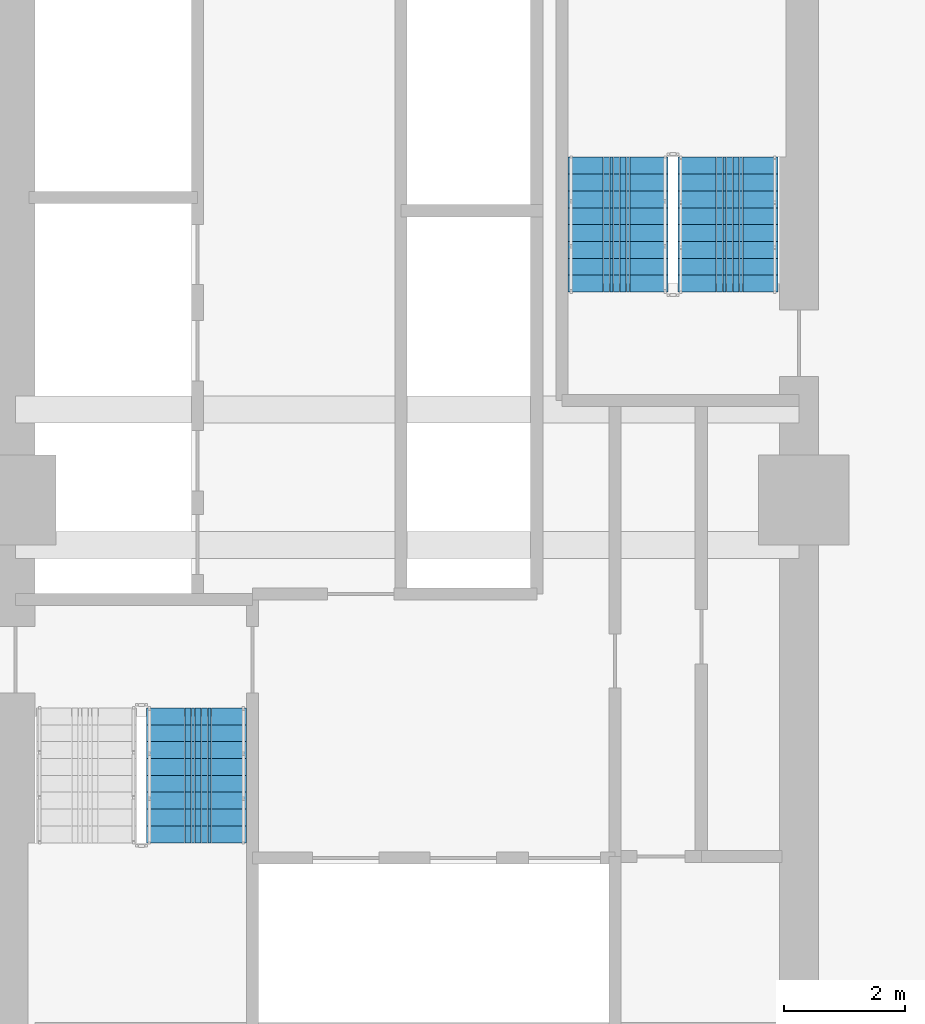
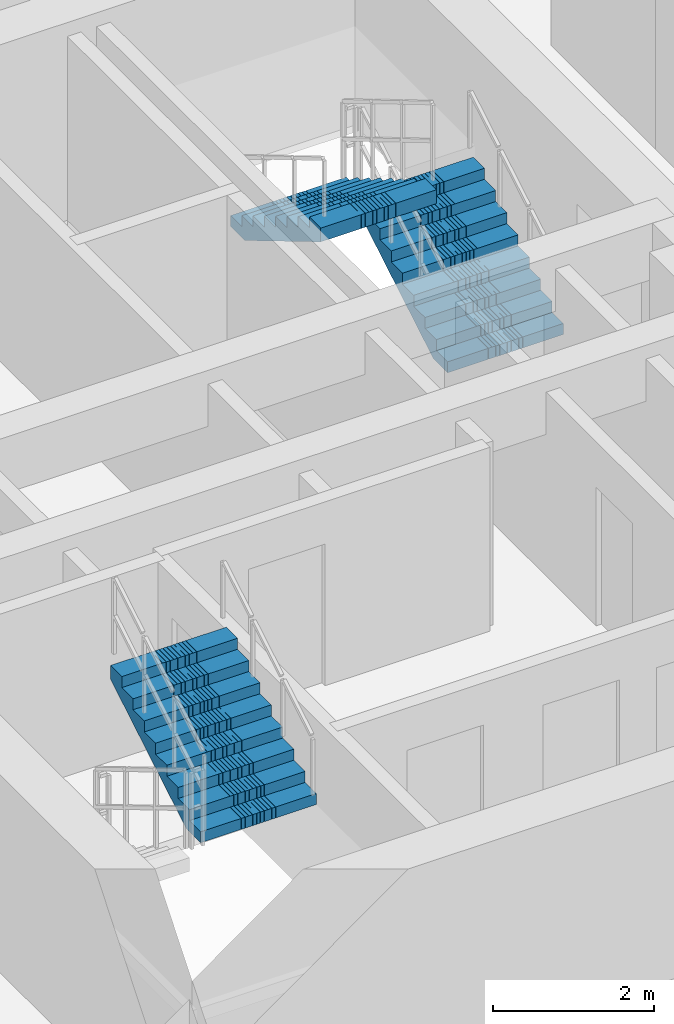
# One storey, part 9 of 16: 3 stair flights, 2 elements without a shape of their own.
"""IFC4 building model written with IfcOpenShell, lengths in metres."""

from ifc_helpers import new_model, si_unit, direction, frame, origin, place, context, subcontext, project, spatial, polyline, outline, extrude, material, type_object, element, aggregate, save


model = new_model("IFC4")

# Units and contexts
model_context = context("Model", 3, precision=1e-05, world=origin(), true_north=direction((0.0, 1.0)))
body_context = subcontext(model_context, "Body", "Model", "MODEL_VIEW")
ifc_project = project(units=[si_unit("LENGTHUNIT", "METRE"), si_unit("AREAUNIT", "SQUARE_METRE"), si_unit("VOLUMEUNIT", "CUBIC_METRE"), si_unit("PLANEANGLEUNIT", "RADIAN"), si_unit("MASSUNIT", "GRAM", prefix="KILO")], contexts=[model_context])

# Site, building, storey
site_placement = place(None, origin())
site = spatial("IfcSite", under=ifc_project, at=site_placement, CompositionType="ELEMENT")
building_placement = place(site_placement, origin())
building = spatial("IfcBuilding", under=site, at=building_placement, Name="Saelheon Loggia Tower", CompositionType="ELEMENT")
storey_placement = place(building_placement, frame((0.0, 0.0, 64.39990234375)))
storey = spatial("IfcBuildingStorey", under=building, at=storey_placement, Name="L20", CompositionType="ELEMENT", Elevation=64.39990234375)

# Stair, stair flight
ifc_material = material(Name="Concrete C40/50", Category="concrete")
stair_type = type_object("IfcStairType", Name="Stair_Escape_Core", PredefinedType="HALF_TURN_STAIR", material=ifc_material)
stair_1_placement = place(storey_placement, origin())
stair_1 = element("IfcStair", 1, at=stair_1_placement, inside=storey, type_object=stair_type, Name="L20 Special Escape Stair ST1", PredefinedType="HALF_TURN_STAIR")
stair_flight_type = type_object("IfcStairFlightType", Name="StairFlight_Tower_1660", PredefinedType="STRAIGHT", material=ifc_material)
stair_flight_1_placement = place(storey_placement, frame((34.5, 21.31005859375, 1.5), z_axis=(0.0, 0.0, 1.0), x_axis=(0.0, 1.0, 0.0)))
stair_flight_1 = element("IfcStairFlight", 2, at=stair_flight_1_placement, type_object=stair_flight_type, Name="ST1 flight 2", NumberOfRisers=9, NumberOfTreads=8, PredefinedType="STRAIGHT", RiserHeight=0.166666667, TreadLength=0.28, context=body_context, shape_type="SweptSolid", body=[
    extrude(outline(polyline([(0.0, 0.0), (0.0, 0.166748046875), (0.280029296875, 0.166748046875), (0.280029296875, 0.333251953125), (0.56005859375, 0.333251953125), (0.56005859375, 0.5), (0.840087890625, 0.5), (0.840087890625, 0.666748046875), (1.1201171875, 0.666748046875), (1.1201171875, 0.833251953125), (1.39990234375, 0.833251953125), (1.39990234375, 1.0), (1.679931640625, 1.0), (1.679931640625, 1.166748046875), (1.9599609375, 1.166748046875), (1.9599609375, 1.333251953125), (2.239990234375, 1.333251953125), (2.239990234375, 1.5), (2.239990234375, 1.1240234375), (0.351806640625, 0.0), (0.0, 0.0)])), frame((0.0, -0.2490234375, 0.0), z_axis=(0.0, -1.0, 0.0), x_axis=(1.0, 0.0, 0.0)), (0.0, 0.0, 1.0), 0.5810546875),
    extrude(outline(polyline([(0.0, 0.0), (0.0, 0.166748046875), (0.280029296875, 0.166748046875), (0.280029296875, 0.333251953125), (0.56005859375, 0.333251953125), (0.56005859375, 0.5), (0.840087890625, 0.5), (0.840087890625, 0.666748046875), (1.1201171875, 0.666748046875), (1.1201171875, 0.833251953125), (1.39990234375, 0.833251953125), (1.39990234375, 1.0), (1.679931640625, 1.0), (1.679931640625, 1.166748046875), (1.9599609375, 1.166748046875), (1.9599609375, 1.333251953125), (2.239990234375, 1.333251953125), (2.239990234375, 1.5), (2.239990234375, 1.1240234375), (0.351806640625, 0.0), (0.0, 0.0)])), frame((0.0, -0.194091796875, 0.0), z_axis=(0.0, -1.0, 0.0), x_axis=(1.0, 0.0, 0.0)), (0.0, 0.0, 1.0), 0.0498046875),
    extrude(outline(polyline([(0.0, 0.0), (0.0, 0.166748046875), (0.280029296875, 0.166748046875), (0.280029296875, 0.333251953125), (0.56005859375, 0.333251953125), (0.56005859375, 0.5), (0.840087890625, 0.5), (0.840087890625, 0.666748046875), (1.1201171875, 0.666748046875), (1.1201171875, 0.833251953125), (1.39990234375, 0.833251953125), (1.39990234375, 1.0), (1.679931640625, 1.0), (1.679931640625, 1.166748046875), (1.9599609375, 1.166748046875), (1.9599609375, 1.333251953125), (2.239990234375, 1.333251953125), (2.239990234375, 1.5), (2.239990234375, 1.1240234375), (0.351806640625, 0.0), (0.0, 0.0)])), frame((0.0, -0.139404296875, 0.0), z_axis=(0.0, -1.0, 0.0), x_axis=(1.0, 0.0, 0.0)), (0.0, 0.0, 1.0), 0.0498046875),
    extrude(outline(polyline([(0.0, 0.0), (0.0, 0.166748046875), (0.280029296875, 0.166748046875), (0.280029296875, 0.333251953125), (0.56005859375, 0.333251953125), (0.56005859375, 0.5), (0.840087890625, 0.5), (0.840087890625, 0.666748046875), (1.1201171875, 0.666748046875), (1.1201171875, 0.833251953125), (1.39990234375, 0.833251953125), (1.39990234375, 1.0), (1.679931640625, 1.0), (1.679931640625, 1.166748046875), (1.9599609375, 1.166748046875), (1.9599609375, 1.333251953125), (2.239990234375, 1.333251953125), (2.239990234375, 1.5), (2.239990234375, 1.1240234375), (0.351806640625, 0.0), (0.0, 0.0)])), frame((0.0, -0.084716796875, 0.0), z_axis=(0.0, -1.0, 0.0), x_axis=(1.0, 0.0, 0.0)), (0.0, 0.0, 1.0), 0.0498046875),
    extrude(outline(polyline([(0.0, 0.0), (0.0, 0.166748046875), (0.280029296875, 0.166748046875), (0.280029296875, 0.333251953125), (0.56005859375, 0.333251953125), (0.56005859375, 0.5), (0.840087890625, 0.5), (0.840087890625, 0.666748046875), (1.1201171875, 0.666748046875), (1.1201171875, 0.833251953125), (1.39990234375, 0.833251953125), (1.39990234375, 1.0), (1.679931640625, 1.0), (1.679931640625, 1.166748046875), (1.9599609375, 1.166748046875), (1.9599609375, 1.333251953125), (2.239990234375, 1.333251953125), (2.239990234375, 1.5), (2.239990234375, 1.1240234375), (0.351806640625, 0.0), (0.0, 0.0)])), frame((0.0, -0.02978515625, 0.0), z_axis=(0.0, -1.0, 0.0), x_axis=(1.0, 0.0, 0.0)), (0.0, 0.0, 1.0), 0.0498046875),
    extrude(outline(polyline([(0.0, 0.0), (0.0, 0.166748046875), (0.280029296875, 0.166748046875), (0.280029296875, 0.333251953125), (0.56005859375, 0.333251953125), (0.56005859375, 0.5), (0.840087890625, 0.5), (0.840087890625, 0.666748046875), (1.1201171875, 0.666748046875), (1.1201171875, 0.833251953125), (1.39990234375, 0.833251953125), (1.39990234375, 1.0), (1.679931640625, 1.0), (1.679931640625, 1.166748046875), (1.9599609375, 1.166748046875), (1.9599609375, 1.333251953125), (2.239990234375, 1.333251953125), (2.239990234375, 1.5), (2.239990234375, 1.1240234375), (0.351806640625, 0.0), (0.0, 0.0)])), frame((0.0, 0.02490234375, 0.0), z_axis=(0.0, -1.0, 0.0), x_axis=(1.0, 0.0, 0.0)), (0.0, 0.0, 1.0), 0.0498046875),
    extrude(outline(polyline([(0.0, 0.0), (0.0, 0.166748046875), (0.280029296875, 0.166748046875), (0.280029296875, 0.333251953125), (0.56005859375, 0.333251953125), (0.56005859375, 0.5), (0.840087890625, 0.5), (0.840087890625, 0.666748046875), (1.1201171875, 0.666748046875), (1.1201171875, 0.833251953125), (1.39990234375, 0.833251953125), (1.39990234375, 1.0), (1.679931640625, 1.0), (1.679931640625, 1.166748046875), (1.9599609375, 1.166748046875), (1.9599609375, 1.333251953125), (2.239990234375, 1.333251953125), (2.239990234375, 1.5), (2.239990234375, 1.1240234375), (0.351806640625, 0.0), (0.0, 0.0)])), frame((0.0, 0.07958984375, 0.0), z_axis=(0.0, -1.0, 0.0), x_axis=(1.0, 0.0, 0.0)), (0.0, 0.0, 1.0), 0.0498046875),
    extrude(outline(polyline([(0.0, 0.0), (0.0, 0.166748046875), (0.280029296875, 0.166748046875), (0.280029296875, 0.333251953125), (0.56005859375, 0.333251953125), (0.56005859375, 0.5), (0.840087890625, 0.5), (0.840087890625, 0.666748046875), (1.1201171875, 0.666748046875), (1.1201171875, 0.833251953125), (1.39990234375, 0.833251953125), (1.39990234375, 1.0), (1.679931640625, 1.0), (1.679931640625, 1.166748046875), (1.9599609375, 1.166748046875), (1.9599609375, 1.333251953125), (2.239990234375, 1.333251953125), (2.239990234375, 1.5), (2.239990234375, 1.1240234375), (0.351806640625, 0.0), (0.0, 0.0)])), frame((0.0, 0.134521484375, 0.0), z_axis=(0.0, -1.0, 0.0), x_axis=(1.0, 0.0, 0.0)), (0.0, 0.0, 1.0), 0.0498046875),
    extrude(outline(polyline([(0.0, 0.0), (0.0, 0.166748046875), (0.280029296875, 0.166748046875), (0.280029296875, 0.333251953125), (0.56005859375, 0.333251953125), (0.56005859375, 0.5), (0.840087890625, 0.5), (0.840087890625, 0.666748046875), (1.1201171875, 0.666748046875), (1.1201171875, 0.833251953125), (1.39990234375, 0.833251953125), (1.39990234375, 1.0), (1.679931640625, 1.0), (1.679931640625, 1.166748046875), (1.9599609375, 1.166748046875), (1.9599609375, 1.333251953125), (2.239990234375, 1.333251953125), (2.239990234375, 1.5), (2.239990234375, 1.1240234375), (0.351806640625, 0.0), (0.0, 0.0)])), frame((0.0, 0.189208984375, 0.0), z_axis=(0.0, -1.0, 0.0), x_axis=(1.0, 0.0, 0.0)), (0.0, 0.0, 1.0), 0.0498046875),
    extrude(outline(polyline([(0.0, 0.0), (0.0, 0.166748046875), (0.280029296875, 0.166748046875), (0.280029296875, 0.333251953125), (0.56005859375, 0.333251953125), (0.56005859375, 0.5), (0.840087890625, 0.5), (0.840087890625, 0.666748046875), (1.1201171875, 0.666748046875), (1.1201171875, 0.833251953125), (1.39990234375, 0.833251953125), (1.39990234375, 1.0), (1.679931640625, 1.0), (1.679931640625, 1.166748046875), (1.9599609375, 1.166748046875), (1.9599609375, 1.333251953125), (2.239990234375, 1.333251953125), (2.239990234375, 1.5), (2.239990234375, 1.1240234375), (0.351806640625, 0.0), (0.0, 0.0)])), frame((0.0, 0.243896484375, 0.0), z_axis=(0.0, -1.0, 0.0), x_axis=(1.0, 0.0, 0.0)), (0.0, 0.0, 1.0), 0.0498046875),
    extrude(outline(polyline([(0.0, 0.0), (0.0, 0.166748046875), (0.280029296875, 0.166748046875), (0.280029296875, 0.333251953125), (0.56005859375, 0.333251953125), (0.56005859375, 0.5), (0.840087890625, 0.5), (0.840087890625, 0.666748046875), (1.1201171875, 0.666748046875), (1.1201171875, 0.833251953125), (1.39990234375, 0.833251953125), (1.39990234375, 1.0), (1.679931640625, 1.0), (1.679931640625, 1.166748046875), (1.9599609375, 1.166748046875), (1.9599609375, 1.333251953125), (2.239990234375, 1.333251953125), (2.239990234375, 1.5), (2.239990234375, 1.1240234375), (0.351806640625, 0.0), (0.0, 0.0)])), frame((0.0, 0.830078125, 0.0), z_axis=(0.0, -1.0, 0.0), x_axis=(1.0, 0.0, 0.0)), (0.0, 0.0, 1.0), 0.5810546875),
])
aggregate(stair_1, [stair_flight_1])

# Stair, stair flights
stair_2_placement = place(storey_placement, origin())
stair_2 = element("IfcStair", 3, at=stair_2_placement, inside=storey, type_object=stair_type, Name="L20 Special Escape Stair ST2", PredefinedType="HALF_TURN_STAIR")
stair_flight_2_placement = place(storey_placement, frame((43.320068359375, 30.449951171875, 0.0), z_axis=(0.0, 0.0, 1.0), x_axis=(0.0, 1.0, 0.0)))
stair_flight_2 = element("IfcStairFlight", 4, at=stair_flight_2_placement, type_object=stair_flight_type, Name="ST2 flight 1", NumberOfRisers=9, NumberOfTreads=8, PredefinedType="STRAIGHT", RiserHeight=0.166666667, TreadLength=0.28, context=body_context, shape_type="SweptSolid", body=[
    extrude(outline(polyline([(0.0, 0.0), (0.0, 0.166748046875), (0.280029296875, 0.166748046875), (0.280029296875, 0.333251953125), (0.56005859375, 0.333251953125), (0.56005859375, 0.5), (0.840087890625, 0.5), (0.840087890625, 0.666748046875), (1.1201171875, 0.666748046875), (1.1201171875, 0.833251953125), (1.39990234375, 0.833251953125), (1.39990234375, 1.0), (1.679931640625, 1.0), (1.679931640625, 1.166748046875), (1.9599609375, 1.166748046875), (1.9599609375, 1.333251953125), (2.239990234375, 1.333251953125), (2.239990234375, 1.5), (2.239990234375, 1.1240234375), (0.351806640625, 0.0), (0.0, 0.0)])), frame((0.0, -0.2490234375, 0.0), z_axis=(0.0, -1.0, 0.0), x_axis=(1.0, 0.0, 0.0)), (0.0, 0.0, 1.0), 0.5810546875),
    extrude(outline(polyline([(0.0, 0.0), (0.0, 0.166748046875), (0.280029296875, 0.166748046875), (0.280029296875, 0.333251953125), (0.56005859375, 0.333251953125), (0.56005859375, 0.5), (0.840087890625, 0.5), (0.840087890625, 0.666748046875), (1.1201171875, 0.666748046875), (1.1201171875, 0.833251953125), (1.39990234375, 0.833251953125), (1.39990234375, 1.0), (1.679931640625, 1.0), (1.679931640625, 1.166748046875), (1.9599609375, 1.166748046875), (1.9599609375, 1.333251953125), (2.239990234375, 1.333251953125), (2.239990234375, 1.5), (2.239990234375, 1.1240234375), (0.351806640625, 0.0), (0.0, 0.0)])), frame((0.0, -0.194091796875, 0.0), z_axis=(0.0, -1.0, 0.0), x_axis=(1.0, 0.0, 0.0)), (0.0, 0.0, 1.0), 0.0498046875),
    extrude(outline(polyline([(0.0, 0.0), (0.0, 0.166748046875), (0.280029296875, 0.166748046875), (0.280029296875, 0.333251953125), (0.56005859375, 0.333251953125), (0.56005859375, 0.5), (0.840087890625, 0.5), (0.840087890625, 0.666748046875), (1.1201171875, 0.666748046875), (1.1201171875, 0.833251953125), (1.39990234375, 0.833251953125), (1.39990234375, 1.0), (1.679931640625, 1.0), (1.679931640625, 1.166748046875), (1.9599609375, 1.166748046875), (1.9599609375, 1.333251953125), (2.239990234375, 1.333251953125), (2.239990234375, 1.5), (2.239990234375, 1.1240234375), (0.351806640625, 0.0), (0.0, 0.0)])), frame((0.0, -0.139404296875, 0.0), z_axis=(0.0, -1.0, 0.0), x_axis=(1.0, 0.0, 0.0)), (0.0, 0.0, 1.0), 0.0498046875),
    extrude(outline(polyline([(0.0, 0.0), (0.0, 0.166748046875), (0.280029296875, 0.166748046875), (0.280029296875, 0.333251953125), (0.56005859375, 0.333251953125), (0.56005859375, 0.5), (0.840087890625, 0.5), (0.840087890625, 0.666748046875), (1.1201171875, 0.666748046875), (1.1201171875, 0.833251953125), (1.39990234375, 0.833251953125), (1.39990234375, 1.0), (1.679931640625, 1.0), (1.679931640625, 1.166748046875), (1.9599609375, 1.166748046875), (1.9599609375, 1.333251953125), (2.239990234375, 1.333251953125), (2.239990234375, 1.5), (2.239990234375, 1.1240234375), (0.351806640625, 0.0), (0.0, 0.0)])), frame((0.0, -0.084716796875, 0.0), z_axis=(0.0, -1.0, 0.0), x_axis=(1.0, 0.0, 0.0)), (0.0, 0.0, 1.0), 0.0498046875),
    extrude(outline(polyline([(0.0, 0.0), (0.0, 0.166748046875), (0.280029296875, 0.166748046875), (0.280029296875, 0.333251953125), (0.56005859375, 0.333251953125), (0.56005859375, 0.5), (0.840087890625, 0.5), (0.840087890625, 0.666748046875), (1.1201171875, 0.666748046875), (1.1201171875, 0.833251953125), (1.39990234375, 0.833251953125), (1.39990234375, 1.0), (1.679931640625, 1.0), (1.679931640625, 1.166748046875), (1.9599609375, 1.166748046875), (1.9599609375, 1.333251953125), (2.239990234375, 1.333251953125), (2.239990234375, 1.5), (2.239990234375, 1.1240234375), (0.351806640625, 0.0), (0.0, 0.0)])), frame((0.0, -0.02978515625, 0.0), z_axis=(0.0, -1.0, 0.0), x_axis=(1.0, 0.0, 0.0)), (0.0, 0.0, 1.0), 0.0498046875),
    extrude(outline(polyline([(0.0, 0.0), (0.0, 0.166748046875), (0.280029296875, 0.166748046875), (0.280029296875, 0.333251953125), (0.56005859375, 0.333251953125), (0.56005859375, 0.5), (0.840087890625, 0.5), (0.840087890625, 0.666748046875), (1.1201171875, 0.666748046875), (1.1201171875, 0.833251953125), (1.39990234375, 0.833251953125), (1.39990234375, 1.0), (1.679931640625, 1.0), (1.679931640625, 1.166748046875), (1.9599609375, 1.166748046875), (1.9599609375, 1.333251953125), (2.239990234375, 1.333251953125), (2.239990234375, 1.5), (2.239990234375, 1.1240234375), (0.351806640625, 0.0), (0.0, 0.0)])), frame((0.0, 0.02490234375, 0.0), z_axis=(0.0, -1.0, 0.0), x_axis=(1.0, 0.0, 0.0)), (0.0, 0.0, 1.0), 0.0498046875),
    extrude(outline(polyline([(0.0, 0.0), (0.0, 0.166748046875), (0.280029296875, 0.166748046875), (0.280029296875, 0.333251953125), (0.56005859375, 0.333251953125), (0.56005859375, 0.5), (0.840087890625, 0.5), (0.840087890625, 0.666748046875), (1.1201171875, 0.666748046875), (1.1201171875, 0.833251953125), (1.39990234375, 0.833251953125), (1.39990234375, 1.0), (1.679931640625, 1.0), (1.679931640625, 1.166748046875), (1.9599609375, 1.166748046875), (1.9599609375, 1.333251953125), (2.239990234375, 1.333251953125), (2.239990234375, 1.5), (2.239990234375, 1.1240234375), (0.351806640625, 0.0), (0.0, 0.0)])), frame((0.0, 0.07958984375, 0.0), z_axis=(0.0, -1.0, 0.0), x_axis=(1.0, 0.0, 0.0)), (0.0, 0.0, 1.0), 0.0498046875),
    extrude(outline(polyline([(0.0, 0.0), (0.0, 0.166748046875), (0.280029296875, 0.166748046875), (0.280029296875, 0.333251953125), (0.56005859375, 0.333251953125), (0.56005859375, 0.5), (0.840087890625, 0.5), (0.840087890625, 0.666748046875), (1.1201171875, 0.666748046875), (1.1201171875, 0.833251953125), (1.39990234375, 0.833251953125), (1.39990234375, 1.0), (1.679931640625, 1.0), (1.679931640625, 1.166748046875), (1.9599609375, 1.166748046875), (1.9599609375, 1.333251953125), (2.239990234375, 1.333251953125), (2.239990234375, 1.5), (2.239990234375, 1.1240234375), (0.351806640625, 0.0), (0.0, 0.0)])), frame((0.0, 0.134521484375, 0.0), z_axis=(0.0, -1.0, 0.0), x_axis=(1.0, 0.0, 0.0)), (0.0, 0.0, 1.0), 0.0498046875),
    extrude(outline(polyline([(0.0, 0.0), (0.0, 0.166748046875), (0.280029296875, 0.166748046875), (0.280029296875, 0.333251953125), (0.56005859375, 0.333251953125), (0.56005859375, 0.5), (0.840087890625, 0.5), (0.840087890625, 0.666748046875), (1.1201171875, 0.666748046875), (1.1201171875, 0.833251953125), (1.39990234375, 0.833251953125), (1.39990234375, 1.0), (1.679931640625, 1.0), (1.679931640625, 1.166748046875), (1.9599609375, 1.166748046875), (1.9599609375, 1.333251953125), (2.239990234375, 1.333251953125), (2.239990234375, 1.5), (2.239990234375, 1.1240234375), (0.351806640625, 0.0), (0.0, 0.0)])), frame((0.0, 0.189208984375, 0.0), z_axis=(0.0, -1.0, 0.0), x_axis=(1.0, 0.0, 0.0)), (0.0, 0.0, 1.0), 0.0498046875),
    extrude(outline(polyline([(0.0, 0.0), (0.0, 0.166748046875), (0.280029296875, 0.166748046875), (0.280029296875, 0.333251953125), (0.56005859375, 0.333251953125), (0.56005859375, 0.5), (0.840087890625, 0.5), (0.840087890625, 0.666748046875), (1.1201171875, 0.666748046875), (1.1201171875, 0.833251953125), (1.39990234375, 0.833251953125), (1.39990234375, 1.0), (1.679931640625, 1.0), (1.679931640625, 1.166748046875), (1.9599609375, 1.166748046875), (1.9599609375, 1.333251953125), (2.239990234375, 1.333251953125), (2.239990234375, 1.5), (2.239990234375, 1.1240234375), (0.351806640625, 0.0), (0.0, 0.0)])), frame((0.0, 0.243896484375, 0.0), z_axis=(0.0, -1.0, 0.0), x_axis=(1.0, 0.0, 0.0)), (0.0, 0.0, 1.0), 0.0498046875),
    extrude(outline(polyline([(0.0, 0.0), (0.0, 0.166748046875), (0.280029296875, 0.166748046875), (0.280029296875, 0.333251953125), (0.56005859375, 0.333251953125), (0.56005859375, 0.5), (0.840087890625, 0.5), (0.840087890625, 0.666748046875), (1.1201171875, 0.666748046875), (1.1201171875, 0.833251953125), (1.39990234375, 0.833251953125), (1.39990234375, 1.0), (1.679931640625, 1.0), (1.679931640625, 1.166748046875), (1.9599609375, 1.166748046875), (1.9599609375, 1.333251953125), (2.239990234375, 1.333251953125), (2.239990234375, 1.5), (2.239990234375, 1.1240234375), (0.351806640625, 0.0), (0.0, 0.0)])), frame((0.0, 0.830078125, 0.0), z_axis=(0.0, -1.0, 0.0), x_axis=(1.0, 0.0, 0.0)), (0.0, 0.0, 1.0), 0.5810546875),
])
stair_flight_3_placement = place(storey_placement, frame((41.5, 32.68994140625, 1.5), z_axis=(0.0, 0.0, 1.0), x_axis=(0.0, -1.0, 0.0)))
stair_flight_3 = element("IfcStairFlight", 5, at=stair_flight_3_placement, type_object=stair_flight_type, Name="ST2 flight 2", NumberOfRisers=9, NumberOfTreads=8, PredefinedType="STRAIGHT", RiserHeight=0.166666667, TreadLength=0.28, context=body_context, shape_type="SweptSolid", body=[
    extrude(outline(polyline([(0.0, 0.0), (0.0, 0.166748046875), (0.280029296875, 0.166748046875), (0.280029296875, 0.333251953125), (0.56005859375, 0.333251953125), (0.56005859375, 0.5), (0.840087890625, 0.5), (0.840087890625, 0.666748046875), (1.1201171875, 0.666748046875), (1.1201171875, 0.833251953125), (1.39990234375, 0.833251953125), (1.39990234375, 1.0), (1.679931640625, 1.0), (1.679931640625, 1.166748046875), (1.9599609375, 1.166748046875), (1.9599609375, 1.333251953125), (2.239990234375, 1.333251953125), (2.239990234375, 1.5), (2.239990234375, 1.1240234375), (0.351806640625, 0.0), (0.0, 0.0)])), frame((0.0, -0.2490234375, 0.0), z_axis=(0.0, -1.0, 0.0), x_axis=(1.0, 0.0, 0.0)), (0.0, 0.0, 1.0), 0.5810546875),
    extrude(outline(polyline([(0.0, 0.0), (0.0, 0.166748046875), (0.280029296875, 0.166748046875), (0.280029296875, 0.333251953125), (0.56005859375, 0.333251953125), (0.56005859375, 0.5), (0.840087890625, 0.5), (0.840087890625, 0.666748046875), (1.1201171875, 0.666748046875), (1.1201171875, 0.833251953125), (1.39990234375, 0.833251953125), (1.39990234375, 1.0), (1.679931640625, 1.0), (1.679931640625, 1.166748046875), (1.9599609375, 1.166748046875), (1.9599609375, 1.333251953125), (2.239990234375, 1.333251953125), (2.239990234375, 1.5), (2.239990234375, 1.1240234375), (0.351806640625, 0.0), (0.0, 0.0)])), frame((0.0, -0.194091796875, 0.0), z_axis=(0.0, -1.0, 0.0), x_axis=(1.0, 0.0, 0.0)), (0.0, 0.0, 1.0), 0.0498046875),
    extrude(outline(polyline([(0.0, 0.0), (0.0, 0.166748046875), (0.280029296875, 0.166748046875), (0.280029296875, 0.333251953125), (0.56005859375, 0.333251953125), (0.56005859375, 0.5), (0.840087890625, 0.5), (0.840087890625, 0.666748046875), (1.1201171875, 0.666748046875), (1.1201171875, 0.833251953125), (1.39990234375, 0.833251953125), (1.39990234375, 1.0), (1.679931640625, 1.0), (1.679931640625, 1.166748046875), (1.9599609375, 1.166748046875), (1.9599609375, 1.333251953125), (2.239990234375, 1.333251953125), (2.239990234375, 1.5), (2.239990234375, 1.1240234375), (0.351806640625, 0.0), (0.0, 0.0)])), frame((0.0, -0.139404296875, 0.0), z_axis=(0.0, -1.0, 0.0), x_axis=(1.0, 0.0, 0.0)), (0.0, 0.0, 1.0), 0.0498046875),
    extrude(outline(polyline([(0.0, 0.0), (0.0, 0.166748046875), (0.280029296875, 0.166748046875), (0.280029296875, 0.333251953125), (0.56005859375, 0.333251953125), (0.56005859375, 0.5), (0.840087890625, 0.5), (0.840087890625, 0.666748046875), (1.1201171875, 0.666748046875), (1.1201171875, 0.833251953125), (1.39990234375, 0.833251953125), (1.39990234375, 1.0), (1.679931640625, 1.0), (1.679931640625, 1.166748046875), (1.9599609375, 1.166748046875), (1.9599609375, 1.333251953125), (2.239990234375, 1.333251953125), (2.239990234375, 1.5), (2.239990234375, 1.1240234375), (0.351806640625, 0.0), (0.0, 0.0)])), frame((0.0, -0.084716796875, 0.0), z_axis=(0.0, -1.0, 0.0), x_axis=(1.0, 0.0, 0.0)), (0.0, 0.0, 1.0), 0.0498046875),
    extrude(outline(polyline([(0.0, 0.0), (0.0, 0.166748046875), (0.280029296875, 0.166748046875), (0.280029296875, 0.333251953125), (0.56005859375, 0.333251953125), (0.56005859375, 0.5), (0.840087890625, 0.5), (0.840087890625, 0.666748046875), (1.1201171875, 0.666748046875), (1.1201171875, 0.833251953125), (1.39990234375, 0.833251953125), (1.39990234375, 1.0), (1.679931640625, 1.0), (1.679931640625, 1.166748046875), (1.9599609375, 1.166748046875), (1.9599609375, 1.333251953125), (2.239990234375, 1.333251953125), (2.239990234375, 1.5), (2.239990234375, 1.1240234375), (0.351806640625, 0.0), (0.0, 0.0)])), frame((0.0, -0.02978515625, 0.0), z_axis=(0.0, -1.0, 0.0), x_axis=(1.0, 0.0, 0.0)), (0.0, 0.0, 1.0), 0.0498046875),
    extrude(outline(polyline([(0.0, 0.0), (0.0, 0.166748046875), (0.280029296875, 0.166748046875), (0.280029296875, 0.333251953125), (0.56005859375, 0.333251953125), (0.56005859375, 0.5), (0.840087890625, 0.5), (0.840087890625, 0.666748046875), (1.1201171875, 0.666748046875), (1.1201171875, 0.833251953125), (1.39990234375, 0.833251953125), (1.39990234375, 1.0), (1.679931640625, 1.0), (1.679931640625, 1.166748046875), (1.9599609375, 1.166748046875), (1.9599609375, 1.333251953125), (2.239990234375, 1.333251953125), (2.239990234375, 1.5), (2.239990234375, 1.1240234375), (0.351806640625, 0.0), (0.0, 0.0)])), frame((0.0, 0.02490234375, 0.0), z_axis=(0.0, -1.0, 0.0), x_axis=(1.0, 0.0, 0.0)), (0.0, 0.0, 1.0), 0.0498046875),
    extrude(outline(polyline([(0.0, 0.0), (0.0, 0.166748046875), (0.280029296875, 0.166748046875), (0.280029296875, 0.333251953125), (0.56005859375, 0.333251953125), (0.56005859375, 0.5), (0.840087890625, 0.5), (0.840087890625, 0.666748046875), (1.1201171875, 0.666748046875), (1.1201171875, 0.833251953125), (1.39990234375, 0.833251953125), (1.39990234375, 1.0), (1.679931640625, 1.0), (1.679931640625, 1.166748046875), (1.9599609375, 1.166748046875), (1.9599609375, 1.333251953125), (2.239990234375, 1.333251953125), (2.239990234375, 1.5), (2.239990234375, 1.1240234375), (0.351806640625, 0.0), (0.0, 0.0)])), frame((0.0, 0.07958984375, 0.0), z_axis=(0.0, -1.0, 0.0), x_axis=(1.0, 0.0, 0.0)), (0.0, 0.0, 1.0), 0.0498046875),
    extrude(outline(polyline([(0.0, 0.0), (0.0, 0.166748046875), (0.280029296875, 0.166748046875), (0.280029296875, 0.333251953125), (0.56005859375, 0.333251953125), (0.56005859375, 0.5), (0.840087890625, 0.5), (0.840087890625, 0.666748046875), (1.1201171875, 0.666748046875), (1.1201171875, 0.833251953125), (1.39990234375, 0.833251953125), (1.39990234375, 1.0), (1.679931640625, 1.0), (1.679931640625, 1.166748046875), (1.9599609375, 1.166748046875), (1.9599609375, 1.333251953125), (2.239990234375, 1.333251953125), (2.239990234375, 1.5), (2.239990234375, 1.1240234375), (0.351806640625, 0.0), (0.0, 0.0)])), frame((0.0, 0.134521484375, 0.0), z_axis=(0.0, -1.0, 0.0), x_axis=(1.0, 0.0, 0.0)), (0.0, 0.0, 1.0), 0.0498046875),
    extrude(outline(polyline([(0.0, 0.0), (0.0, 0.166748046875), (0.280029296875, 0.166748046875), (0.280029296875, 0.333251953125), (0.56005859375, 0.333251953125), (0.56005859375, 0.5), (0.840087890625, 0.5), (0.840087890625, 0.666748046875), (1.1201171875, 0.666748046875), (1.1201171875, 0.833251953125), (1.39990234375, 0.833251953125), (1.39990234375, 1.0), (1.679931640625, 1.0), (1.679931640625, 1.166748046875), (1.9599609375, 1.166748046875), (1.9599609375, 1.333251953125), (2.239990234375, 1.333251953125), (2.239990234375, 1.5), (2.239990234375, 1.1240234375), (0.351806640625, 0.0), (0.0, 0.0)])), frame((0.0, 0.189208984375, 0.0), z_axis=(0.0, -1.0, 0.0), x_axis=(1.0, 0.0, 0.0)), (0.0, 0.0, 1.0), 0.0498046875),
    extrude(outline(polyline([(0.0, 0.0), (0.0, 0.166748046875), (0.280029296875, 0.166748046875), (0.280029296875, 0.333251953125), (0.56005859375, 0.333251953125), (0.56005859375, 0.5), (0.840087890625, 0.5), (0.840087890625, 0.666748046875), (1.1201171875, 0.666748046875), (1.1201171875, 0.833251953125), (1.39990234375, 0.833251953125), (1.39990234375, 1.0), (1.679931640625, 1.0), (1.679931640625, 1.166748046875), (1.9599609375, 1.166748046875), (1.9599609375, 1.333251953125), (2.239990234375, 1.333251953125), (2.239990234375, 1.5), (2.239990234375, 1.1240234375), (0.351806640625, 0.0), (0.0, 0.0)])), frame((0.0, 0.243896484375, 0.0), z_axis=(0.0, -1.0, 0.0), x_axis=(1.0, 0.0, 0.0)), (0.0, 0.0, 1.0), 0.0498046875),
    extrude(outline(polyline([(0.0, 0.0), (0.0, 0.166748046875), (0.280029296875, 0.166748046875), (0.280029296875, 0.333251953125), (0.56005859375, 0.333251953125), (0.56005859375, 0.5), (0.840087890625, 0.5), (0.840087890625, 0.666748046875), (1.1201171875, 0.666748046875), (1.1201171875, 0.833251953125), (1.39990234375, 0.833251953125), (1.39990234375, 1.0), (1.679931640625, 1.0), (1.679931640625, 1.166748046875), (1.9599609375, 1.166748046875), (1.9599609375, 1.333251953125), (2.239990234375, 1.333251953125), (2.239990234375, 1.5), (2.239990234375, 1.1240234375), (0.351806640625, 0.0), (0.0, 0.0)])), frame((0.0, 0.830078125, 0.0), z_axis=(0.0, -1.0, 0.0), x_axis=(1.0, 0.0, 0.0)), (0.0, 0.0, 1.0), 0.5810546875),
])
aggregate(stair_2, [stair_flight_2, stair_flight_3])

save(model, "model.ifc")
